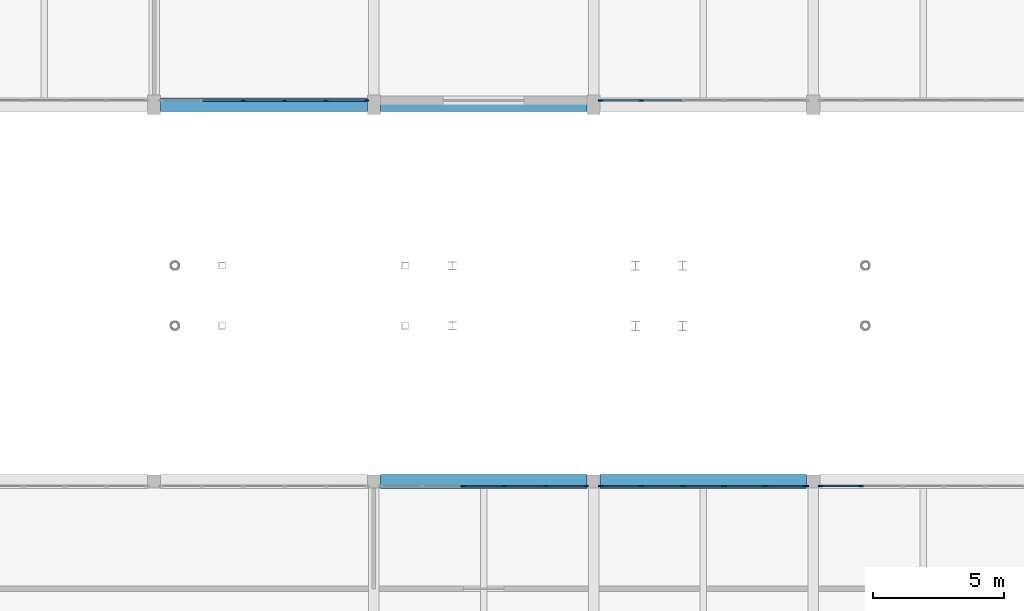
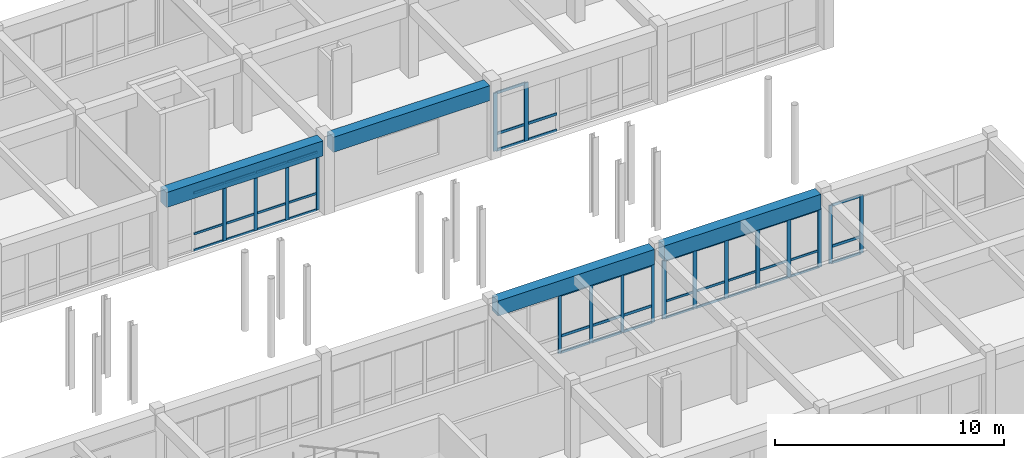
# One storey, part 70 of 147: 62 members, 4 beams, 5 elements without a shape of their own.
"""IFC4 building model written with IfcOpenShell, lengths in metres."""

from ifc_helpers import new_model, si_unit, direction, frame, origin, origin_2d, place, context, subcontext, project, spatial, rectangle, extrude, material, material_profile, profile_set, type_object, element, aggregate, save


model = new_model("IFC4")

# Units and contexts
model_context = context("Model", 3, precision=1e-05, world=origin(), true_north=direction((0.0, 1.0)))
body_context = subcontext(model_context, "Body", "Model", "MODEL_VIEW")
ifc_project = project(units=[si_unit("LENGTHUNIT", "METRE"), si_unit("AREAUNIT", "SQUARE_METRE"), si_unit("VOLUMEUNIT", "CUBIC_METRE"), si_unit("PLANEANGLEUNIT", "RADIAN"), si_unit("MASSUNIT", "GRAM", prefix="KILO")], contexts=[model_context])

# Site, building, storey
site_placement = place(None, origin())
site = spatial("IfcSite", under=ifc_project, at=site_placement, CompositionType="ELEMENT")
building_placement = place(site_placement, origin())
building = spatial("IfcBuilding", under=site, at=building_placement, Name="Malvenik Polytechnic", CompositionType="ELEMENT")
storey_placement = place(building_placement, frame((0.0, 0.0, 5.10009765625)))
storey = spatial("IfcBuildingStorey", under=building, at=storey_placement, Name="L01", CompositionType="ELEMENT", Elevation=5.10009765625)

# Curtain wall, members
ifc_material_1 = material(Name="Anodised aluminium 6060-T6", Category="aluminium")
curtain_wall_type = type_object("IfcCurtainWallType", Name="ARC-CW-CW-02", PredefinedType="NOTDEFINED", material=ifc_material_1)
curtain_wall_1_placement = place(storey_placement, origin())
curtain_wall_1 = element("IfcCurtainWall", 1, at=curtain_wall_1_placement, inside=storey, type_object=curtain_wall_type, Name="Unitised Curtain Wall CW-02 L01 #86", PredefinedType="NOTDEFINED")
ifc_material_2 = material(Name="Anodised aluminium", Category="aluminium")
ifc_material_profile_1 = material_profile(ifc_material_2, rectangle(XDim=0.06005859375, YDim=0.159912109375, at=origin_2d()), Name="ALU MULLION 60x160")
ifc_profile_set_1 = profile_set([ifc_material_profile_1], Name="Anodised aluminium")
member_type_1 = type_object("IfcMemberType", Name="ARC-CWM-160", PredefinedType="MULLION", material=ifc_profile_set_1)
member_1_placement = place(storey_placement, frame((112.609619140625, 64.6298828125, 0.0), z_axis=(0.0, 0.0, 1.0), x_axis=(0.0, 1.0, 0.0)))
member_1 = element("IfcMember", 2, at=member_1_placement, type_object=member_type_1, Name="CW-02 mullion 3", PredefinedType="MULLION", context=body_context, shape_type="SweptSolid", body=[
    extrude(rectangle(XDim=0.06005859375, YDim=0.159912109375, at=origin_2d()), origin(), (0.0, 0.0, 1.0), 3.10986328125),
])
member_2_placement = place(storey_placement, frame((114.1904296875, 64.6298828125, 0.0), z_axis=(0.0, 0.0, 1.0), x_axis=(0.0, 1.0, 0.0)))
member_2 = element("IfcMember", 3, at=member_2_placement, type_object=member_type_1, Name="CW-02 mullion 4", PredefinedType="MULLION", context=body_context, shape_type="SweptSolid", body=[
    extrude(rectangle(XDim=0.06005859375, YDim=0.159912109375, at=origin_2d()), origin(), (0.0, 0.0, 1.0), 3.10986328125),
])
member_3_placement = place(storey_placement, frame((115.771240234375, 64.6298828125, 0.0), z_axis=(0.0, 0.0, 1.0), x_axis=(0.0, 1.0, 0.0)))
member_3 = element("IfcMember", 4, at=member_3_placement, type_object=member_type_1, Name="CW-02 mullion 5", PredefinedType="MULLION", context=body_context, shape_type="SweptSolid", body=[
    extrude(rectangle(XDim=0.06005859375, YDim=0.159912109375, at=origin_2d()), origin(), (0.0, 0.0, 1.0), 3.10986328125),
])
member_4_placement = place(storey_placement, frame((117.322021484375, 64.6298828125, 0.0), z_axis=(0.0, 0.0, 1.0), x_axis=(0.0, 1.0, 0.0)))
member_4 = element("IfcMember", 5, at=member_4_placement, type_object=member_type_1, Name="CW-02 mullion 6", PredefinedType="MULLION", context=body_context, shape_type="SweptSolid", body=[
    extrude(rectangle(XDim=0.06005859375, YDim=0.159912109375, at=origin_2d()), origin(), (0.0, 0.0, 1.0), 3.10986328125),
])

curtain_wall_2_placement = place(storey_placement, origin())
curtain_wall_2 = element("IfcCurtainWall", 6, at=curtain_wall_2_placement, inside=storey, type_object=curtain_wall_type, Name="Unitised Curtain Wall CW-02 L01 #79", PredefinedType="NOTDEFINED")
ifc_material_profile_2 = material_profile(ifc_material_2, rectangle(XDim=0.06005859375, YDim=0.179931640625, at=origin_2d()), Name="ALU MULLION 60x180")
ifc_profile_set_2 = profile_set([ifc_material_profile_2], Name="Anodised aluminium")
member_type_2 = type_object("IfcMemberType", Name="ARC-CWM-180", PredefinedType="MULLION", material=ifc_profile_set_2)
member_5_placement = place(storey_placement, frame((108.922119140625, 79.3701171875, 0.0), z_axis=(0.0, 0.0, 1.0), x_axis=(0.0, -1.0, 0.0)))
member_5 = element("IfcMember", 7, at=member_5_placement, type_object=member_type_2, Name="CW-02 mullion 1", PredefinedType="MULLION", context=body_context, shape_type="SweptSolid", body=[
    extrude(rectangle(XDim=0.06005859375, YDim=0.179931640625, at=origin_2d()), origin(), (0.0, 0.0, 1.0), 3.10986328125),
])
member_6_placement = place(storey_placement, frame((107.37109375, 79.3701171875, 0.0), z_axis=(0.0, 0.0, 1.0), x_axis=(0.0, -1.0, 0.0)))
member_6 = element("IfcMember", 8, at=member_6_placement, type_object=member_type_2, Name="CW-02 mullion 2", PredefinedType="MULLION", context=body_context, shape_type="SweptSolid", body=[
    extrude(rectangle(XDim=0.06005859375, YDim=0.179931640625, at=origin_2d()), origin(), (0.0, 0.0, 1.0), 3.10986328125),
])
member_7_placement = place(storey_placement, frame((105.790283203125, 79.3701171875, 0.0), z_axis=(0.0, 0.0, 1.0), x_axis=(0.0, -1.0, 0.0)))
member_7 = element("IfcMember", 9, at=member_7_placement, type_object=member_type_2, Name="CW-02 mullion 3", PredefinedType="MULLION", context=body_context, shape_type="SweptSolid", body=[
    extrude(rectangle(XDim=0.06005859375, YDim=0.179931640625, at=origin_2d()), origin(), (0.0, 0.0, 1.0), 3.10986328125),
])
member_8_placement = place(storey_placement, frame((104.209716796875, 79.3701171875, 0.0), z_axis=(0.0, 0.0, 1.0), x_axis=(0.0, -1.0, 0.0)))
member_8 = element("IfcMember", 10, at=member_8_placement, type_object=member_type_2, Name="CW-02 mullion 4", PredefinedType="MULLION", context=body_context, shape_type="SweptSolid", body=[
    extrude(rectangle(XDim=0.06005859375, YDim=0.179931640625, at=origin_2d()), origin(), (0.0, 0.0, 1.0), 3.10986328125),
])

curtain_wall_3_placement = place(storey_placement, origin())
curtain_wall_3 = element("IfcCurtainWall", 11, at=curtain_wall_3_placement, inside=storey, type_object=curtain_wall_type, Name="Unitised Curtain Wall CW-02 L01 #88", PredefinedType="NOTDEFINED")
member_9_placement = place(storey_placement, frame((126.278076171875, 64.6298828125, 0.0), z_axis=(0.0, 0.0, 1.0), x_axis=(0.0, 1.0, 0.0)))
member_9 = element("IfcMember", 12, at=member_9_placement, type_object=member_type_2, Name="CW-02 mullion 1", PredefinedType="MULLION", context=body_context, shape_type="SweptSolid", body=[
    extrude(rectangle(XDim=0.06005859375, YDim=0.179931640625, at=origin_2d()), origin(), (0.0, 0.0, 1.0), 3.10986328125),
])
member_10_placement = place(storey_placement, frame((127.828857421875, 64.6298828125, 0.0), z_axis=(0.0, 0.0, 1.0), x_axis=(0.0, 1.0, 0.0)))
member_10 = element("IfcMember", 13, at=member_10_placement, type_object=member_type_2, Name="CW-02 mullion 2", PredefinedType="MULLION", context=body_context, shape_type="SweptSolid", body=[
    extrude(rectangle(XDim=0.06005859375, YDim=0.179931640625, at=origin_2d()), origin(), (0.0, 0.0, 1.0), 3.10986328125),
])

curtain_wall_4_placement = place(storey_placement, origin())
curtain_wall_4 = element("IfcCurtainWall", 14, at=curtain_wall_4_placement, inside=storey, type_object=curtain_wall_type, Name="Unitised Curtain Wall CW-02 L01 #78", PredefinedType="NOTDEFINED")
ifc_material_profile_3 = material_profile(ifc_material_2, rectangle(XDim=0.06005859375, YDim=0.199951171875, at=origin_2d()), Name="ALU MULLION 60x200")
ifc_profile_set_3 = profile_set([ifc_material_profile_3], Name="Anodised aluminium")
member_type_3 = type_object("IfcMemberType", Name="ARC-CWM-200", PredefinedType="MULLION", material=ifc_profile_set_3)
member_11_placement = place(storey_placement, frame((119.4287109375, 79.3701171875, 0.0), z_axis=(0.0, 0.0, 1.0), x_axis=(0.0, -1.0, 0.0)))
member_11 = element("IfcMember", 15, at=member_11_placement, type_object=member_type_3, Name="CW-02 mullion 5", PredefinedType="MULLION", context=body_context, shape_type="SweptSolid", body=[
    extrude(rectangle(XDim=0.06005859375, YDim=0.199951171875, at=origin_2d()), origin(), (0.0, 0.0, 1.0), 3.10986328125),
])
member_12_placement = place(storey_placement, frame((117.8779296875, 79.3701171875, 0.0), z_axis=(0.0, 0.0, 1.0), x_axis=(0.0, -1.0, 0.0)))
member_12 = element("IfcMember", 16, at=member_12_placement, type_object=member_type_3, Name="CW-02 mullion 6", PredefinedType="MULLION", context=body_context, shape_type="SweptSolid", body=[
    extrude(rectangle(XDim=0.06005859375, YDim=0.199951171875, at=origin_2d()), origin(), (0.0, 0.0, 1.0), 3.10986328125),
])

curtain_wall_5_placement = place(storey_placement, origin())
curtain_wall_5 = element("IfcCurtainWall", 17, at=curtain_wall_5_placement, inside=storey, type_object=curtain_wall_type, Name="Unitised Curtain Wall CW-02 L01 #87", PredefinedType="NOTDEFINED")
member_13_placement = place(storey_placement, frame((117.8779296875, 64.6298828125, 0.0), z_axis=(0.0, 0.0, 1.0), x_axis=(0.0, 1.0, 0.0)))
member_13 = element("IfcMember", 18, at=member_13_placement, type_object=member_type_3, Name="CW-02 mullion 1", PredefinedType="MULLION", context=body_context, shape_type="SweptSolid", body=[
    extrude(rectangle(XDim=0.06005859375, YDim=0.199951171875, at=origin_2d()), origin(), (0.0, 0.0, 1.0), 3.10986328125),
])
member_14_placement = place(storey_placement, frame((119.4287109375, 64.6298828125, 0.0), z_axis=(0.0, 0.0, 1.0), x_axis=(0.0, 1.0, 0.0)))
member_14 = element("IfcMember", 19, at=member_14_placement, type_object=member_type_3, Name="CW-02 mullion 2", PredefinedType="MULLION", context=body_context, shape_type="SweptSolid", body=[
    extrude(rectangle(XDim=0.06005859375, YDim=0.199951171875, at=origin_2d()), origin(), (0.0, 0.0, 1.0), 3.10986328125),
])
member_15_placement = place(storey_placement, frame((121.009521484375, 64.6298828125, 0.0), z_axis=(0.0, 0.0, 1.0), x_axis=(0.0, 1.0, 0.0)))
member_15 = element("IfcMember", 20, at=member_15_placement, type_object=member_type_3, Name="CW-02 mullion 3", PredefinedType="MULLION", context=body_context, shape_type="SweptSolid", body=[
    extrude(rectangle(XDim=0.06005859375, YDim=0.199951171875, at=origin_2d()), origin(), (0.0, 0.0, 1.0), 3.10986328125),
])
member_16_placement = place(storey_placement, frame((122.59033203125, 64.6298828125, 0.0), z_axis=(0.0, 0.0, 1.0), x_axis=(0.0, 1.0, 0.0)))
member_16 = element("IfcMember", 21, at=member_16_placement, type_object=member_type_3, Name="CW-02 mullion 4", PredefinedType="MULLION", context=body_context, shape_type="SweptSolid", body=[
    extrude(rectangle(XDim=0.06005859375, YDim=0.199951171875, at=origin_2d()), origin(), (0.0, 0.0, 1.0), 3.10986328125),
])
member_17_placement = place(storey_placement, frame((124.171142578125, 64.6298828125, 0.0), z_axis=(0.0, 0.0, 1.0), x_axis=(0.0, 1.0, 0.0)))
member_17 = element("IfcMember", 22, at=member_17_placement, type_object=member_type_3, Name="CW-02 mullion 5", PredefinedType="MULLION", context=body_context, shape_type="SweptSolid", body=[
    extrude(rectangle(XDim=0.06005859375, YDim=0.199951171875, at=origin_2d()), origin(), (0.0, 0.0, 1.0), 3.10986328125),
])
member_18_placement = place(storey_placement, frame((125.721923828125, 64.6298828125, 0.0), z_axis=(0.0, 0.0, 1.0), x_axis=(0.0, 1.0, 0.0)))
member_18 = element("IfcMember", 23, at=member_18_placement, type_object=member_type_3, Name="CW-02 mullion 6", PredefinedType="MULLION", context=body_context, shape_type="SweptSolid", body=[
    extrude(rectangle(XDim=0.06005859375, YDim=0.199951171875, at=origin_2d()), origin(), (0.0, 0.0, 1.0), 3.10986328125),
])

# Member
ifc_material_profile_4 = material_profile(ifc_material_2, rectangle(XDim=0.06005859375, YDim=0.1201171875, at=origin_2d()), Name="ALU TRANSOM 60x120")
ifc_profile_set_4 = profile_set([ifc_material_profile_4], Name="Anodised aluminium")
member_type_4 = type_object("IfcMemberType", Name="ARC-CWT-120", PredefinedType="USERDEFINED", material=ifc_profile_set_4)
member_19_placement = place(storey_placement, frame((108.89208984375, 79.3701171875, 0.02978515625), z_axis=(-1.0, 0.0, 0.0), x_axis=(0.0, -1.0, 0.0)))
member_19 = element("IfcMember", 24, at=member_19_placement, type_object=member_type_4, Name="CW-02 transom 1.1", ObjectType="TRANSOM", PredefinedType="USERDEFINED", context=body_context, shape_type="SweptSolid", body=[
    extrude(rectangle(XDim=0.06005859375, YDim=0.1201171875, at=origin_2d()), origin(), (0.0, 0.0, 1.0), 1.490966796875),
])

member_20_placement = place(storey_placement, frame((108.89208984375, 79.3701171875, 0.89990234375), z_axis=(-1.0, 0.0, 0.0), x_axis=(0.0, -1.0, 0.0)))
member_20 = element("IfcMember", 25, at=member_20_placement, type_object=member_type_4, Name="CW-02 transom 1.2", ObjectType="TRANSOM", PredefinedType="USERDEFINED", context=body_context, shape_type="SweptSolid", body=[
    extrude(rectangle(XDim=0.06005859375, YDim=0.1201171875, at=origin_2d()), origin(), (0.0, 0.0, 1.0), 1.490966796875),
])

member_21_placement = place(storey_placement, frame((108.89208984375, 79.3701171875, 3.079833984375), z_axis=(-1.0, 0.0, 0.0), x_axis=(0.0, -1.0, 0.0)))
member_21 = element("IfcMember", 26, at=member_21_placement, type_object=member_type_4, Name="CW-02 transom 1.3", ObjectType="TRANSOM", PredefinedType="USERDEFINED", context=body_context, shape_type="SweptSolid", body=[
    extrude(rectangle(XDim=0.06005859375, YDim=0.1201171875, at=origin_2d()), origin(), (0.0, 0.0, 1.0), 1.490966796875),
])

member_22_placement = place(storey_placement, frame((107.34130859375, 79.3701171875, 0.02978515625), z_axis=(-1.0, 0.0, 0.0), x_axis=(0.0, -1.0, 0.0)))
member_22 = element("IfcMember", 27, at=member_22_placement, type_object=member_type_4, Name="CW-02 transom 2.1", ObjectType="TRANSOM", PredefinedType="USERDEFINED", context=body_context, shape_type="SweptSolid", body=[
    extrude(rectangle(XDim=0.06005859375, YDim=0.1201171875, at=origin_2d()), origin(), (0.0, 0.0, 1.0), 1.52099609375),
])

member_23_placement = place(storey_placement, frame((107.34130859375, 79.3701171875, 0.89990234375), z_axis=(-1.0, 0.0, 0.0), x_axis=(0.0, -1.0, 0.0)))
member_23 = element("IfcMember", 28, at=member_23_placement, type_object=member_type_4, Name="CW-02 transom 2.2", ObjectType="TRANSOM", PredefinedType="USERDEFINED", context=body_context, shape_type="SweptSolid", body=[
    extrude(rectangle(XDim=0.06005859375, YDim=0.1201171875, at=origin_2d()), origin(), (0.0, 0.0, 1.0), 1.52099609375),
])

member_24_placement = place(storey_placement, frame((107.34130859375, 79.3701171875, 3.079833984375), z_axis=(-1.0, 0.0, 0.0), x_axis=(0.0, -1.0, 0.0)))
member_24 = element("IfcMember", 29, at=member_24_placement, type_object=member_type_4, Name="CW-02 transom 2.3", ObjectType="TRANSOM", PredefinedType="USERDEFINED", context=body_context, shape_type="SweptSolid", body=[
    extrude(rectangle(XDim=0.06005859375, YDim=0.1201171875, at=origin_2d()), origin(), (0.0, 0.0, 1.0), 1.52099609375),
])

member_25_placement = place(storey_placement, frame((105.760498046875, 79.3701171875, 0.02978515625), z_axis=(-1.0, 0.0, 0.0), x_axis=(0.0, -1.0, 0.0)))
member_25 = element("IfcMember", 30, at=member_25_placement, type_object=member_type_4, Name="CW-02 transom 3.1", ObjectType="TRANSOM", PredefinedType="USERDEFINED", context=body_context, shape_type="SweptSolid", body=[
    extrude(rectangle(XDim=0.06005859375, YDim=0.1201171875, at=origin_2d()), origin(), (0.0, 0.0, 1.0), 1.52099609375),
])

member_26_placement = place(storey_placement, frame((105.760498046875, 79.3701171875, 0.89990234375), z_axis=(-1.0, 0.0, 0.0), x_axis=(0.0, -1.0, 0.0)))
member_26 = element("IfcMember", 31, at=member_26_placement, type_object=member_type_4, Name="CW-02 transom 3.2", ObjectType="TRANSOM", PredefinedType="USERDEFINED", context=body_context, shape_type="SweptSolid", body=[
    extrude(rectangle(XDim=0.06005859375, YDim=0.1201171875, at=origin_2d()), origin(), (0.0, 0.0, 1.0), 1.52099609375),
])

member_27_placement = place(storey_placement, frame((105.760498046875, 79.3701171875, 3.079833984375), z_axis=(-1.0, 0.0, 0.0), x_axis=(0.0, -1.0, 0.0)))
member_27 = element("IfcMember", 32, at=member_27_placement, type_object=member_type_4, Name="CW-02 transom 3.3", ObjectType="TRANSOM", PredefinedType="USERDEFINED", context=body_context, shape_type="SweptSolid", body=[
    extrude(rectangle(XDim=0.06005859375, YDim=0.1201171875, at=origin_2d()), origin(), (0.0, 0.0, 1.0), 1.52099609375),
])

member_28_placement = place(storey_placement, frame((104.1796875, 79.3701171875, 0.02978515625), z_axis=(-1.0, 0.0, 0.0), x_axis=(0.0, -1.0, 0.0)))
member_28 = element("IfcMember", 33, at=member_28_placement, type_object=member_type_4, Name="CW-02 transom 4.1", ObjectType="TRANSOM", PredefinedType="USERDEFINED", context=body_context, shape_type="SweptSolid", body=[
    extrude(rectangle(XDim=0.06005859375, YDim=0.1201171875, at=origin_2d()), origin(), (0.0, 0.0, 1.0), 1.52099609375),
])

member_29_placement = place(storey_placement, frame((104.1796875, 79.3701171875, 0.89990234375), z_axis=(-1.0, 0.0, 0.0), x_axis=(0.0, -1.0, 0.0)))
member_29 = element("IfcMember", 34, at=member_29_placement, type_object=member_type_4, Name="CW-02 transom 4.2", ObjectType="TRANSOM", PredefinedType="USERDEFINED", context=body_context, shape_type="SweptSolid", body=[
    extrude(rectangle(XDim=0.06005859375, YDim=0.1201171875, at=origin_2d()), origin(), (0.0, 0.0, 1.0), 1.52099609375),
])

member_30_placement = place(storey_placement, frame((104.1796875, 79.3701171875, 3.079833984375), z_axis=(-1.0, 0.0, 0.0), x_axis=(0.0, -1.0, 0.0)))
member_30 = element("IfcMember", 35, at=member_30_placement, type_object=member_type_4, Name="CW-02 transom 4.3", ObjectType="TRANSOM", PredefinedType="USERDEFINED", context=body_context, shape_type="SweptSolid", body=[
    extrude(rectangle(XDim=0.06005859375, YDim=0.1201171875, at=origin_2d()), origin(), (0.0, 0.0, 1.0), 1.52099609375),
])

aggregate(curtain_wall_2, [member_5, member_6, member_7, member_8, member_19, member_20, member_21, member_22, member_23, member_24, member_25, member_26, member_27, member_28, member_29, member_30])

member_31_placement = place(storey_placement, frame((117.907958984375, 64.6298828125, 0.02978515625), z_axis=(1.0, 0.0, 0.0), x_axis=(0.0, 1.0, 0.0)))
member_31 = element("IfcMember", 36, at=member_31_placement, type_object=member_type_4, Name="CW-02 transom 1.1", ObjectType="TRANSOM", PredefinedType="USERDEFINED", context=body_context, shape_type="SweptSolid", body=[
    extrude(rectangle(XDim=0.06005859375, YDim=0.1201171875, at=origin_2d()), origin(), (0.0, 0.0, 1.0), 1.49072265625),
])

member_32_placement = place(storey_placement, frame((117.907958984375, 64.6298828125, 0.89990234375), z_axis=(1.0, 0.0, 0.0), x_axis=(0.0, 1.0, 0.0)))
member_32 = element("IfcMember", 37, at=member_32_placement, type_object=member_type_4, Name="CW-02 transom 1.2", ObjectType="TRANSOM", PredefinedType="USERDEFINED", context=body_context, shape_type="SweptSolid", body=[
    extrude(rectangle(XDim=0.06005859375, YDim=0.1201171875, at=origin_2d()), origin(), (0.0, 0.0, 1.0), 1.49072265625),
])

member_33_placement = place(storey_placement, frame((117.907958984375, 64.6298828125, 3.079833984375), z_axis=(1.0, 0.0, 0.0), x_axis=(0.0, 1.0, 0.0)))
member_33 = element("IfcMember", 38, at=member_33_placement, type_object=member_type_4, Name="CW-02 transom 1.3", ObjectType="TRANSOM", PredefinedType="USERDEFINED", context=body_context, shape_type="SweptSolid", body=[
    extrude(rectangle(XDim=0.06005859375, YDim=0.1201171875, at=origin_2d()), origin(), (0.0, 0.0, 1.0), 1.49072265625),
])

member_34_placement = place(storey_placement, frame((119.458740234375, 64.6298828125, 0.02978515625), z_axis=(1.0, 0.0, 0.0), x_axis=(0.0, 1.0, 0.0)))
member_34 = element("IfcMember", 39, at=member_34_placement, type_object=member_type_4, Name="CW-02 transom 2.1", ObjectType="TRANSOM", PredefinedType="USERDEFINED", context=body_context, shape_type="SweptSolid", body=[
    extrude(rectangle(XDim=0.06005859375, YDim=0.1201171875, at=origin_2d()), origin(), (0.0, 0.0, 1.0), 1.520751953125),
])

member_35_placement = place(storey_placement, frame((119.458740234375, 64.6298828125, 0.89990234375), z_axis=(1.0, 0.0, 0.0), x_axis=(0.0, 1.0, 0.0)))
member_35 = element("IfcMember", 40, at=member_35_placement, type_object=member_type_4, Name="CW-02 transom 2.2", ObjectType="TRANSOM", PredefinedType="USERDEFINED", context=body_context, shape_type="SweptSolid", body=[
    extrude(rectangle(XDim=0.06005859375, YDim=0.1201171875, at=origin_2d()), origin(), (0.0, 0.0, 1.0), 1.520751953125),
])

member_36_placement = place(storey_placement, frame((119.458740234375, 64.6298828125, 3.079833984375), z_axis=(1.0, 0.0, 0.0), x_axis=(0.0, 1.0, 0.0)))
member_36 = element("IfcMember", 41, at=member_36_placement, type_object=member_type_4, Name="CW-02 transom 2.3", ObjectType="TRANSOM", PredefinedType="USERDEFINED", context=body_context, shape_type="SweptSolid", body=[
    extrude(rectangle(XDim=0.06005859375, YDim=0.1201171875, at=origin_2d()), origin(), (0.0, 0.0, 1.0), 1.520751953125),
])

member_37_placement = place(storey_placement, frame((121.03955078125, 64.6298828125, 0.02978515625), z_axis=(1.0, 0.0, 0.0), x_axis=(0.0, 1.0, 0.0)))
member_37 = element("IfcMember", 42, at=member_37_placement, type_object=member_type_4, Name="CW-02 transom 3.1", ObjectType="TRANSOM", PredefinedType="USERDEFINED", context=body_context, shape_type="SweptSolid", body=[
    extrude(rectangle(XDim=0.06005859375, YDim=0.1201171875, at=origin_2d()), origin(), (0.0, 0.0, 1.0), 1.520751953125),
])

member_38_placement = place(storey_placement, frame((121.03955078125, 64.6298828125, 0.89990234375), z_axis=(1.0, 0.0, 0.0), x_axis=(0.0, 1.0, 0.0)))
member_38 = element("IfcMember", 43, at=member_38_placement, type_object=member_type_4, Name="CW-02 transom 3.2", ObjectType="TRANSOM", PredefinedType="USERDEFINED", context=body_context, shape_type="SweptSolid", body=[
    extrude(rectangle(XDim=0.06005859375, YDim=0.1201171875, at=origin_2d()), origin(), (0.0, 0.0, 1.0), 1.520751953125),
])

member_39_placement = place(storey_placement, frame((121.03955078125, 64.6298828125, 3.079833984375), z_axis=(1.0, 0.0, 0.0), x_axis=(0.0, 1.0, 0.0)))
member_39 = element("IfcMember", 44, at=member_39_placement, type_object=member_type_4, Name="CW-02 transom 3.3", ObjectType="TRANSOM", PredefinedType="USERDEFINED", context=body_context, shape_type="SweptSolid", body=[
    extrude(rectangle(XDim=0.06005859375, YDim=0.1201171875, at=origin_2d()), origin(), (0.0, 0.0, 1.0), 1.520751953125),
])

member_40_placement = place(storey_placement, frame((122.620361328125, 64.6298828125, 0.02978515625), z_axis=(1.0, 0.0, 0.0), x_axis=(0.0, 1.0, 0.0)))
member_40 = element("IfcMember", 45, at=member_40_placement, type_object=member_type_4, Name="CW-02 transom 4.1", ObjectType="TRANSOM", PredefinedType="USERDEFINED", context=body_context, shape_type="SweptSolid", body=[
    extrude(rectangle(XDim=0.06005859375, YDim=0.1201171875, at=origin_2d()), origin(), (0.0, 0.0, 1.0), 1.520751953125),
])

member_41_placement = place(storey_placement, frame((122.620361328125, 64.6298828125, 0.89990234375), z_axis=(1.0, 0.0, 0.0), x_axis=(0.0, 1.0, 0.0)))
member_41 = element("IfcMember", 46, at=member_41_placement, type_object=member_type_4, Name="CW-02 transom 4.2", ObjectType="TRANSOM", PredefinedType="USERDEFINED", context=body_context, shape_type="SweptSolid", body=[
    extrude(rectangle(XDim=0.06005859375, YDim=0.1201171875, at=origin_2d()), origin(), (0.0, 0.0, 1.0), 1.520751953125),
])

member_42_placement = place(storey_placement, frame((122.620361328125, 64.6298828125, 3.079833984375), z_axis=(1.0, 0.0, 0.0), x_axis=(0.0, 1.0, 0.0)))
member_42 = element("IfcMember", 47, at=member_42_placement, type_object=member_type_4, Name="CW-02 transom 4.3", ObjectType="TRANSOM", PredefinedType="USERDEFINED", context=body_context, shape_type="SweptSolid", body=[
    extrude(rectangle(XDim=0.06005859375, YDim=0.1201171875, at=origin_2d()), origin(), (0.0, 0.0, 1.0), 1.520751953125),
])

member_43_placement = place(storey_placement, frame((124.201171875, 64.6298828125, 0.02978515625), z_axis=(1.0, 0.0, 0.0), x_axis=(0.0, 1.0, 0.0)))
member_43 = element("IfcMember", 48, at=member_43_placement, type_object=member_type_4, Name="CW-02 transom 5.1", ObjectType="TRANSOM", PredefinedType="USERDEFINED", context=body_context, shape_type="SweptSolid", body=[
    extrude(rectangle(XDim=0.06005859375, YDim=0.1201171875, at=origin_2d()), origin(), (0.0, 0.0, 1.0), 1.49072265625),
])

member_44_placement = place(storey_placement, frame((124.201171875, 64.6298828125, 0.89990234375), z_axis=(1.0, 0.0, 0.0), x_axis=(0.0, 1.0, 0.0)))
member_44 = element("IfcMember", 49, at=member_44_placement, type_object=member_type_4, Name="CW-02 transom 5.2", ObjectType="TRANSOM", PredefinedType="USERDEFINED", context=body_context, shape_type="SweptSolid", body=[
    extrude(rectangle(XDim=0.06005859375, YDim=0.1201171875, at=origin_2d()), origin(), (0.0, 0.0, 1.0), 1.49072265625),
])

member_45_placement = place(storey_placement, frame((124.201171875, 64.6298828125, 3.079833984375), z_axis=(1.0, 0.0, 0.0), x_axis=(0.0, 1.0, 0.0)))
member_45 = element("IfcMember", 50, at=member_45_placement, type_object=member_type_4, Name="CW-02 transom 5.3", ObjectType="TRANSOM", PredefinedType="USERDEFINED", context=body_context, shape_type="SweptSolid", body=[
    extrude(rectangle(XDim=0.06005859375, YDim=0.1201171875, at=origin_2d()), origin(), (0.0, 0.0, 1.0), 1.49072265625),
])

aggregate(curtain_wall_5, [member_13, member_14, member_15, member_16, member_17, member_18, member_31, member_32, member_33, member_34, member_35, member_36, member_37, member_38, member_39, member_40, member_41, member_42, member_43, member_44, member_45])

ifc_material_profile_5 = material_profile(ifc_material_2, rectangle(XDim=0.06005859375, YDim=0.139892578125, at=origin_2d()), Name="ALU TRANSOM 60x140")
ifc_profile_set_5 = profile_set([ifc_material_profile_5], Name="Anodised aluminium")
member_type_5 = type_object("IfcMemberType", Name="ARC-CWT-140", PredefinedType="USERDEFINED", material=ifc_profile_set_5)
member_46_placement = place(storey_placement, frame((120.9794921875, 79.3701171875, 0.02978515625), z_axis=(-1.0, 0.0, 0.0), x_axis=(0.0, -1.0, 0.0)))
member_46 = element("IfcMember", 51, at=member_46_placement, type_object=member_type_5, Name="CW-02 transom 4.1", ObjectType="TRANSOM", PredefinedType="USERDEFINED", context=body_context, shape_type="SweptSolid", body=[
    extrude(rectangle(XDim=0.06005859375, YDim=0.139892578125, at=origin_2d()), origin(), (0.0, 0.0, 1.0), 1.520751953125),
])

member_47_placement = place(storey_placement, frame((120.9794921875, 79.3701171875, 0.89990234375), z_axis=(-1.0, 0.0, 0.0), x_axis=(0.0, -1.0, 0.0)))
member_47 = element("IfcMember", 52, at=member_47_placement, type_object=member_type_5, Name="CW-02 transom 4.2", ObjectType="TRANSOM", PredefinedType="USERDEFINED", context=body_context, shape_type="SweptSolid", body=[
    extrude(rectangle(XDim=0.06005859375, YDim=0.139892578125, at=origin_2d()), origin(), (0.0, 0.0, 1.0), 1.520751953125),
])

member_48_placement = place(storey_placement, frame((119.398681640625, 79.3701171875, 0.02978515625), z_axis=(-1.0, 0.0, 0.0), x_axis=(0.0, -1.0, 0.0)))
member_48 = element("IfcMember", 53, at=member_48_placement, type_object=member_type_5, Name="CW-02 transom 5.1", ObjectType="TRANSOM", PredefinedType="USERDEFINED", context=body_context, shape_type="SweptSolid", body=[
    extrude(rectangle(XDim=0.06005859375, YDim=0.139892578125, at=origin_2d()), origin(), (0.0, 0.0, 1.0), 1.49072265625),
])

member_49_placement = place(storey_placement, frame((119.398681640625, 79.3701171875, 0.89990234375), z_axis=(-1.0, 0.0, 0.0), x_axis=(0.0, -1.0, 0.0)))
member_49 = element("IfcMember", 54, at=member_49_placement, type_object=member_type_5, Name="CW-02 transom 5.2", ObjectType="TRANSOM", PredefinedType="USERDEFINED", context=body_context, shape_type="SweptSolid", body=[
    extrude(rectangle(XDim=0.06005859375, YDim=0.139892578125, at=origin_2d()), origin(), (0.0, 0.0, 1.0), 1.49072265625),
])

member_50_placement = place(storey_placement, frame((119.398681640625, 79.3701171875, 3.079833984375), z_axis=(-1.0, 0.0, 0.0), x_axis=(0.0, -1.0, 0.0)))
member_50 = element("IfcMember", 55, at=member_50_placement, type_object=member_type_5, Name="CW-02 transom 5.3", ObjectType="TRANSOM", PredefinedType="USERDEFINED", context=body_context, shape_type="SweptSolid", body=[
    extrude(rectangle(XDim=0.06005859375, YDim=0.139892578125, at=origin_2d()), origin(), (0.0, 0.0, 1.0), 1.49072265625),
])

aggregate(curtain_wall_4, [member_11, member_12, member_46, member_47, member_48, member_49, member_50])

member_51_placement = place(storey_placement, frame((112.6396484375, 64.6298828125, 0.02978515625), z_axis=(1.0, 0.0, 0.0), x_axis=(0.0, 1.0, 0.0)))
member_51 = element("IfcMember", 56, at=member_51_placement, type_object=member_type_5, Name="CW-02 transom 3.1", ObjectType="TRANSOM", PredefinedType="USERDEFINED", context=body_context, shape_type="SweptSolid", body=[
    extrude(rectangle(XDim=0.06005859375, YDim=0.139892578125, at=origin_2d()), origin(), (0.0, 0.0, 1.0), 1.520751953125),
])

member_52_placement = place(storey_placement, frame((112.6396484375, 64.6298828125, 0.89990234375), z_axis=(1.0, 0.0, 0.0), x_axis=(0.0, 1.0, 0.0)))
member_52 = element("IfcMember", 57, at=member_52_placement, type_object=member_type_5, Name="CW-02 transom 3.2", ObjectType="TRANSOM", PredefinedType="USERDEFINED", context=body_context, shape_type="SweptSolid", body=[
    extrude(rectangle(XDim=0.06005859375, YDim=0.139892578125, at=origin_2d()), origin(), (0.0, 0.0, 1.0), 1.520751953125),
])

member_53_placement = place(storey_placement, frame((112.6396484375, 64.6298828125, 3.079833984375), z_axis=(1.0, 0.0, 0.0), x_axis=(0.0, 1.0, 0.0)))
member_53 = element("IfcMember", 58, at=member_53_placement, type_object=member_type_5, Name="CW-02 transom 3.3", ObjectType="TRANSOM", PredefinedType="USERDEFINED", context=body_context, shape_type="SweptSolid", body=[
    extrude(rectangle(XDim=0.06005859375, YDim=0.139892578125, at=origin_2d()), origin(), (0.0, 0.0, 1.0), 1.520751953125),
])

member_54_placement = place(storey_placement, frame((114.220458984375, 64.6298828125, 0.02978515625), z_axis=(1.0, 0.0, 0.0), x_axis=(0.0, 1.0, 0.0)))
member_54 = element("IfcMember", 59, at=member_54_placement, type_object=member_type_5, Name="CW-02 transom 4.1", ObjectType="TRANSOM", PredefinedType="USERDEFINED", context=body_context, shape_type="SweptSolid", body=[
    extrude(rectangle(XDim=0.06005859375, YDim=0.139892578125, at=origin_2d()), origin(), (0.0, 0.0, 1.0), 1.520751953125),
])

member_55_placement = place(storey_placement, frame((114.220458984375, 64.6298828125, 0.89990234375), z_axis=(1.0, 0.0, 0.0), x_axis=(0.0, 1.0, 0.0)))
member_55 = element("IfcMember", 60, at=member_55_placement, type_object=member_type_5, Name="CW-02 transom 4.2", ObjectType="TRANSOM", PredefinedType="USERDEFINED", context=body_context, shape_type="SweptSolid", body=[
    extrude(rectangle(XDim=0.06005859375, YDim=0.139892578125, at=origin_2d()), origin(), (0.0, 0.0, 1.0), 1.520751953125),
])

member_56_placement = place(storey_placement, frame((114.220458984375, 64.6298828125, 3.079833984375), z_axis=(1.0, 0.0, 0.0), x_axis=(0.0, 1.0, 0.0)))
member_56 = element("IfcMember", 61, at=member_56_placement, type_object=member_type_5, Name="CW-02 transom 4.3", ObjectType="TRANSOM", PredefinedType="USERDEFINED", context=body_context, shape_type="SweptSolid", body=[
    extrude(rectangle(XDim=0.06005859375, YDim=0.139892578125, at=origin_2d()), origin(), (0.0, 0.0, 1.0), 1.520751953125),
])

member_57_placement = place(storey_placement, frame((115.80126953125, 64.6298828125, 0.02978515625), z_axis=(1.0, 0.0, 0.0), x_axis=(0.0, 1.0, 0.0)))
member_57 = element("IfcMember", 62, at=member_57_placement, type_object=member_type_5, Name="CW-02 transom 5.1", ObjectType="TRANSOM", PredefinedType="USERDEFINED", context=body_context, shape_type="SweptSolid", body=[
    extrude(rectangle(XDim=0.06005859375, YDim=0.139892578125, at=origin_2d()), origin(), (0.0, 0.0, 1.0), 1.49072265625),
])

member_58_placement = place(storey_placement, frame((115.80126953125, 64.6298828125, 0.89990234375), z_axis=(1.0, 0.0, 0.0), x_axis=(0.0, 1.0, 0.0)))
member_58 = element("IfcMember", 63, at=member_58_placement, type_object=member_type_5, Name="CW-02 transom 5.2", ObjectType="TRANSOM", PredefinedType="USERDEFINED", context=body_context, shape_type="SweptSolid", body=[
    extrude(rectangle(XDim=0.06005859375, YDim=0.139892578125, at=origin_2d()), origin(), (0.0, 0.0, 1.0), 1.49072265625),
])

member_59_placement = place(storey_placement, frame((115.80126953125, 64.6298828125, 3.079833984375), z_axis=(1.0, 0.0, 0.0), x_axis=(0.0, 1.0, 0.0)))
member_59 = element("IfcMember", 64, at=member_59_placement, type_object=member_type_5, Name="CW-02 transom 5.3", ObjectType="TRANSOM", PredefinedType="USERDEFINED", context=body_context, shape_type="SweptSolid", body=[
    extrude(rectangle(XDim=0.06005859375, YDim=0.139892578125, at=origin_2d()), origin(), (0.0, 0.0, 1.0), 1.49072265625),
])

aggregate(curtain_wall_1, [member_1, member_2, member_3, member_4, member_51, member_52, member_53, member_54, member_55, member_56, member_57, member_58, member_59])

member_60_placement = place(storey_placement, frame((126.30810546875, 64.6298828125, 0.02978515625), z_axis=(1.0, 0.0, 0.0), x_axis=(0.0, 1.0, 0.0)))
member_60 = element("IfcMember", 65, at=member_60_placement, type_object=member_type_5, Name="CW-02 transom 1.1", ObjectType="TRANSOM", PredefinedType="USERDEFINED", context=body_context, shape_type="SweptSolid", body=[
    extrude(rectangle(XDim=0.06005859375, YDim=0.139892578125, at=origin_2d()), origin(), (0.0, 0.0, 1.0), 1.49072265625),
])

member_61_placement = place(storey_placement, frame((126.30810546875, 64.6298828125, 0.89990234375), z_axis=(1.0, 0.0, 0.0), x_axis=(0.0, 1.0, 0.0)))
member_61 = element("IfcMember", 66, at=member_61_placement, type_object=member_type_5, Name="CW-02 transom 1.2", ObjectType="TRANSOM", PredefinedType="USERDEFINED", context=body_context, shape_type="SweptSolid", body=[
    extrude(rectangle(XDim=0.06005859375, YDim=0.139892578125, at=origin_2d()), origin(), (0.0, 0.0, 1.0), 1.49072265625),
])

member_62_placement = place(storey_placement, frame((126.30810546875, 64.6298828125, 3.079833984375), z_axis=(1.0, 0.0, 0.0), x_axis=(0.0, 1.0, 0.0)))
member_62 = element("IfcMember", 67, at=member_62_placement, type_object=member_type_5, Name="CW-02 transom 1.3", ObjectType="TRANSOM", PredefinedType="USERDEFINED", context=body_context, shape_type="SweptSolid", body=[
    extrude(rectangle(XDim=0.06005859375, YDim=0.139892578125, at=origin_2d()), origin(), (0.0, 0.0, 1.0), 1.49072265625),
])

aggregate(curtain_wall_3, [member_9, member_10, member_60, member_61, member_62])

# Beams
ifc_material_3 = material(Name="Precast concrete C40/50", Category="concrete")
ifc_material_profile_6 = material_profile(ifc_material_3, rectangle(XDim=0.52001953125, YDim=0.800048828125, at=origin_2d()), Name="PC SPN 520x800")
ifc_profile_set_6 = profile_set([ifc_material_profile_6], Name="Precast concrete C40/50")
beam_type = type_object("IfcBeamType", Name="STR-BM-SP-01", PredefinedType="SPANDREL", material=ifc_profile_set_6)
for number, where, z_axis, x_axis, name in (
    (68, (109.447998046875, 64.800048828125, 3.52001953125), (1.0, 0.0, 0.0), (0.0, 1.0, 0.0), "Primary Beam SP-01 L01 #1038"),
    (69, (117.847900390625, 64.800048828125, 3.52001953125), (1.0, 0.0, 0.0), (0.0, 1.0, 0.0), "Primary Beam SP-01 L01 #1039"),
):
    element("IfcBeam", number, at=place(storey_placement, frame(where, z_axis=z_axis, x_axis=x_axis)), inside=storey, type_object=beam_type, Name=name, PredefinedType="SPANDREL", context=body_context, shape_type="SweptSolid", body=[
        extrude(rectangle(XDim=0.52001953125, YDim=0.800048828125, at=origin_2d()), origin(), (0.0, 0.0, 1.0), 7.904052734375),
    ])
beam_1_placement = place(storey_placement, frame((101.048095703125, 79.199951171875, 3.52001953125), z_axis=(1.0, 0.0, 0.0), x_axis=(0.0, 1.0, 0.0)))
element("IfcBeam", 70, at=beam_1_placement, inside=storey, type_object=beam_type, Name="Primary Beam SP-01 L01 #1053", PredefinedType="SPANDREL", context=body_context, shape_type="SweptSolid", body=[
    extrude(rectangle(XDim=0.52001953125, YDim=0.800048828125, at=origin_2d()), origin(), (0.0, 0.0, 1.0), 7.90380859375),
])
beam_2_placement = place(storey_placement, frame((109.447998046875, 79.199951171875, 3.52001953125), z_axis=(1.0, 0.0, 0.0), x_axis=(0.0, 1.0, 0.0)))
element("IfcBeam", 71, at=beam_2_placement, inside=storey, type_object=beam_type, Name="Primary Beam SP-01 L01 #1054", PredefinedType="SPANDREL", context=body_context, shape_type="SweptSolid", body=[
    extrude(rectangle(XDim=0.52001953125, YDim=0.800048828125, at=origin_2d()), origin(), (0.0, 0.0, 1.0), 7.904052734375),
])

save(model, "model.ifc")
